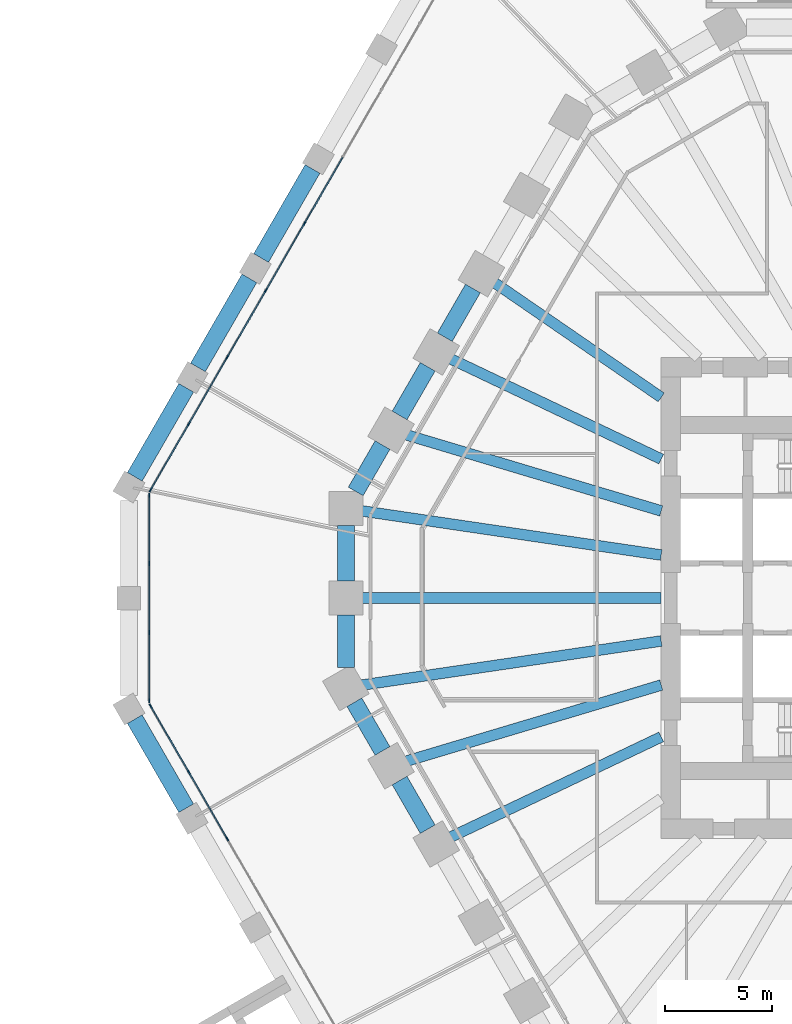
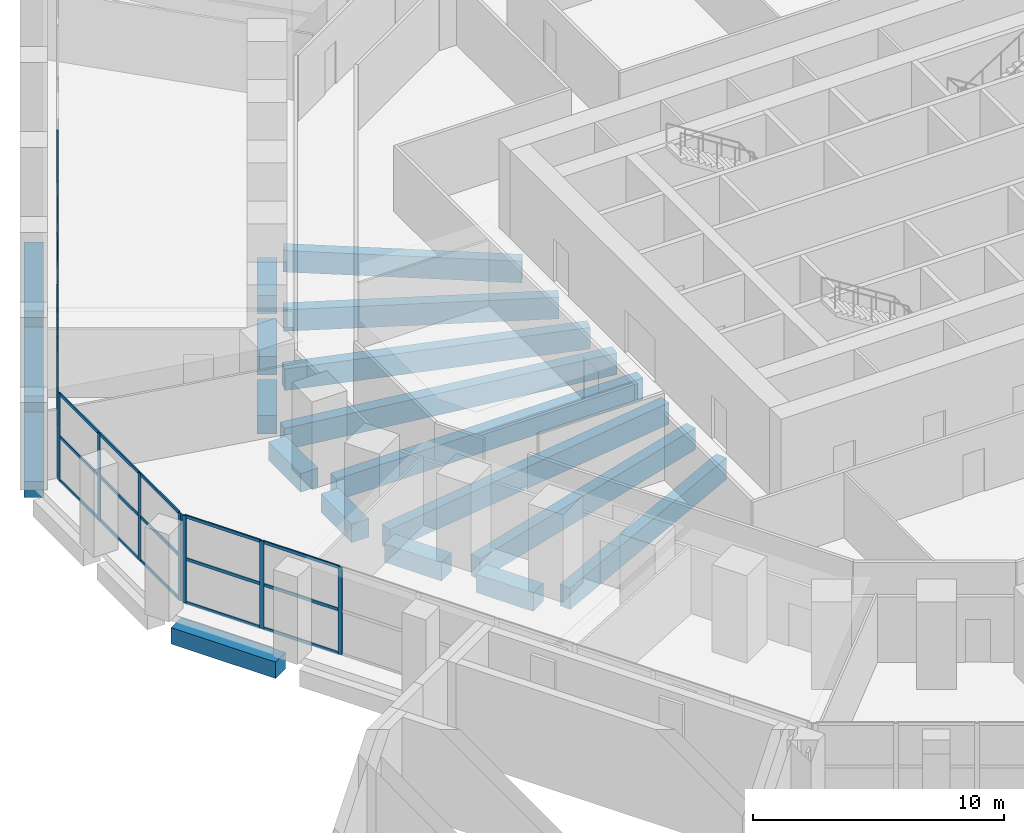
# One storey, part 5 of 38: 42 members, 19 beams, 3 elements without a shape of their own.
"""IFC4 building model written with IfcOpenShell, lengths in metres."""

from ifc_helpers import new_model, si_unit, direction, frame, origin, origin_2d, place, context, subcontext, project, spatial, rectangle, extrude, material, material_profile, profile_set, type_object, element, aggregate, save


model = new_model("IFC4")

# Units and contexts
model_context = context("Model", 3, precision=1e-05, world=origin(), true_north=direction((0.0, 1.0)))
body_context = subcontext(model_context, "Body", "Model", "MODEL_VIEW")
ifc_project = project(units=[si_unit("LENGTHUNIT", "METRE"), si_unit("AREAUNIT", "SQUARE_METRE"), si_unit("VOLUMEUNIT", "CUBIC_METRE"), si_unit("PLANEANGLEUNIT", "RADIAN"), si_unit("MASSUNIT", "GRAM", prefix="KILO")], contexts=[model_context])

# Site, building, storey
site_placement = place(None, origin())
site = spatial("IfcSite", under=ifc_project, at=site_placement, CompositionType="ELEMENT")
building_placement = place(site_placement, origin())
building = spatial("IfcBuilding", under=site, at=building_placement, Name="Frailejon Research Tower", CompositionType="ELEMENT")
storey_placement = place(building_placement, frame((0.0, 0.0, 5.60009765625)))
storey = spatial("IfcBuildingStorey", under=building, at=storey_placement, Name="L01", CompositionType="ELEMENT", Elevation=5.60009765625)

# Beams
ifc_material_1 = material(Name="Concrete C60/75", Category="concrete")
ifc_material_profile_1 = material_profile(ifc_material_1, rectangle(XDim=0.800048828125, YDim=0.800048828125, at=origin_2d()), Name="Base ring beam")
ifc_profile_set_1 = profile_set([ifc_material_profile_1], Name="Concrete C60/75")
beam_type_1 = type_object("IfcBeamType", Name="Base ring beam", PredefinedType="BEAM", material=ifc_profile_set_1)
for number, where, z_axis, x_axis, name in (
    (1, (-29.973388671875, 20.08447265625, -0.75), (-0.50000634465, -0.866021740668, 0.0), (0.866021740668, -0.50000634465, 0.0), "Base ring beam"),
    (2, (-32.930419921875, 14.962890625, -0.75), (-0.50000634465, -0.866021740668, 0.0), (0.866021740668, -0.50000634465, 0.0), "Base ring beam"),
):
    element("IfcBeam", number, at=place(storey_placement, frame(where, z_axis=z_axis, x_axis=x_axis)), inside=storey, type_object=beam_type_1, Name=name, PredefinedType="BEAM", context=body_context, shape_type="SweptSolid", body=[
        extrude(rectangle(XDim=0.800048828125, YDim=0.800048828125, at=origin_2d()), origin(), (0.0, 0.0, 1.0), 4.81396484375),
    ])
for number, where, z_axis, x_axis, name in (
    (3, (-35.88720703125, 9.84130859375, -0.75), (-0.500028306193, -0.866009060579, 0.0), (0.866009060579, -0.500028306193, 0.0), "Base ring beam"),
    (4, (-38.294189453125, -5.672607421875, -0.75), (0.500028306193, -0.866009060579, 0.0), (0.866009060579, 0.500028306193, 0.0), "Base ring beam"),
):
    element("IfcBeam", number, at=place(storey_placement, frame(where, z_axis=z_axis, x_axis=x_axis)), inside=storey, type_object=beam_type_1, Name=name, PredefinedType="BEAM", context=body_context, shape_type="SweptSolid", body=[
        extrude(rectangle(XDim=0.800048828125, YDim=0.800048828125, at=origin_2d()), origin(), (0.0, 0.0, 1.0), 4.813720703125),
    ])
ifc_material_2 = material(Name="Concrete C60/75", Category="concrete")
ifc_material_profile_2 = material_profile(ifc_material_2, rectangle(XDim=0.5, YDim=1.050048828125, at=origin_2d()), Name="Girder 500x1050")
ifc_profile_set_2 = profile_set([ifc_material_profile_2], Name="Concrete C60/75")
beam_type_2 = type_object("IfcBeamType", Name="Girder 500x1050", PredefinedType="BEAM", material=ifc_profile_set_2)
beam_1_placement = place(storey_placement, frame((-21.52734375, 14.8125, -0.875), z_axis=(0.823825821578, -0.566843025626, 0.0), x_axis=(0.566843025626, 0.823825821578, 0.0)))
element("IfcBeam", 5, at=beam_1_placement, inside=storey, type_object=beam_type_2, Name="Girder 500x1050", PredefinedType="BEAM", context=body_context, shape_type="SweptSolid", body=[
    extrude(rectangle(XDim=0.5, YDim=1.050048828125, at=origin_2d()), origin(), (0.0, 0.0, 1.0), 9.56201171875),
])
beam_2_placement = place(storey_placement, frame((-23.591796875, 11.23681640625, -0.875), z_axis=(0.902829780982, -0.429998123917, 0.0), x_axis=(0.429998123917, 0.902829780982, 0.0)))
element("IfcBeam", 6, at=beam_2_placement, inside=storey, type_object=beam_type_2, Name="Girder 500x1050", PredefinedType="BEAM", context=body_context, shape_type="SweptSolid", body=[
    extrude(rectangle(XDim=0.5, YDim=1.050048828125, at=origin_2d()), origin(), (0.0, 0.0, 1.0), 11.011962890625),
])
beam_3_placement = place(storey_placement, frame((-25.652587890625, 7.66015625, -0.875), z_axis=(0.958189747387, -0.286133549242, 0.0), x_axis=(0.286133549242, 0.958189747387, 0.0)))
element("IfcBeam", 7, at=beam_3_placement, inside=storey, type_object=beam_type_2, Name="Girder 500x1050", PredefinedType="BEAM", context=body_context, shape_type="SweptSolid", body=[
    extrude(rectangle(XDim=0.5, YDim=1.050048828125, at=origin_2d()), origin(), (0.0, 0.0, 1.0), 12.5263671875),
])
beam_4_placement = place(storey_placement, frame((-27.76123046875, 4.091552734375, -0.875), z_axis=(0.989312272049, -0.145812305287, 0.0), x_axis=(0.145812305287, 0.989312272049, 0.0)))
element("IfcBeam", 8, at=beam_4_placement, inside=storey, type_object=beam_type_2, Name="Girder 500x1050", PredefinedType="BEAM", context=body_context, shape_type="SweptSolid", body=[
    extrude(rectangle(XDim=0.5, YDim=1.050048828125, at=origin_2d()), origin(), (0.0, 0.0, 1.0), 14.263671875),
])
beam_5_placement = place(storey_placement, frame((-27.7626953125, 0.0, -0.875), z_axis=(1.0, 0.0, 0.0), x_axis=(0.0, 1.0, 0.0)))
element("IfcBeam", 9, at=beam_5_placement, inside=storey, type_object=beam_type_2, Name="Girder 500x1050", PredefinedType="BEAM", context=body_context, shape_type="SweptSolid", body=[
    extrude(rectangle(XDim=0.5, YDim=1.050048828125, at=origin_2d()), origin(), (0.0, 0.0, 1.0), 14.11279296875),
])
beam_6_placement = place(storey_placement, frame((-27.7099609375, -4.083984375, -0.875), z_axis=(0.989312392522, 0.145811487893, 0.0), x_axis=(-0.145811487893, 0.989312392522, 0.0)))
element("IfcBeam", 10, at=beam_6_placement, inside=storey, type_object=beam_type_2, Name="Girder 500x1050", PredefinedType="BEAM", context=body_context, shape_type="SweptSolid", body=[
    extrude(rectangle(XDim=0.5, YDim=1.050048828125, at=origin_2d()), origin(), (0.0, 0.0, 1.0), 14.2119140625),
])
beam_7_placement = place(storey_placement, frame((-25.652587890625, -7.66015625, -0.875), z_axis=(0.958189747387, 0.286133549242, 0.0), x_axis=(-0.286133549242, 0.958189747387, 0.0)))
element("IfcBeam", 11, at=beam_7_placement, inside=storey, type_object=beam_type_2, Name="Girder 500x1050", PredefinedType="BEAM", context=body_context, shape_type="SweptSolid", body=[
    extrude(rectangle(XDim=0.5, YDim=1.050048828125, at=origin_2d()), origin(), (0.0, 0.0, 1.0), 12.5263671875),
])
beam_8_placement = place(storey_placement, frame((-23.591796875, -11.23681640625, -0.875), z_axis=(0.902829780982, 0.429998123917, 0.0), x_axis=(-0.429998123917, 0.902829780982, 0.0)))
element("IfcBeam", 12, at=beam_8_placement, inside=storey, type_object=beam_type_2, Name="Girder 500x1050", PredefinedType="BEAM", context=body_context, shape_type="SweptSolid", body=[
    extrude(rectangle(XDim=0.5, YDim=1.050048828125, at=origin_2d()), origin(), (0.0, 0.0, 1.0), 11.011962890625),
])
ifc_material_3 = material(Name="Concrete C60/75", Category="concrete")
ifc_material_profile_3 = material_profile(ifc_material_3, rectangle(XDim=0.800048828125, YDim=0.89990234375, at=origin_2d()), Name="Podium ring beam")
ifc_profile_set_3 = profile_set([ifc_material_profile_3], Name="Concrete C60/75")
beam_type_3 = type_object("IfcBeamType", Name="Podium ring beam", PredefinedType="BEAM", material=ifc_profile_set_3)
beam_9_placement = place(storey_placement, frame((-22.46484375, 14.48974609375, -0.800048828125), z_axis=(-0.500019514865, -0.866014136579, 0.0), x_axis=(0.866014136579, -0.500019514865, 0.0)))
element("IfcBeam", 13, at=beam_9_placement, inside=storey, type_object=beam_type_3, Name="Podium ring beam", PredefinedType="BEAM", context=body_context, shape_type="SweptSolid", body=[
    extrude(rectangle(XDim=0.800048828125, YDim=0.89990234375, at=origin_2d()), origin(), (0.0, 0.0, 1.0), 2.63232421875),
])
beam_10_placement = place(storey_placement, frame((-24.580810546875, 10.82470703125, -0.800048828125), z_axis=(-0.499990112884, -0.866031112038, 0.0), x_axis=(0.866031112038, -0.499990112884, 0.0)))
element("IfcBeam", 14, at=beam_10_placement, inside=storey, type_object=beam_type_3, Name="Podium ring beam", PredefinedType="BEAM", context=body_context, shape_type="SweptSolid", body=[
    extrude(rectangle(XDim=0.800048828125, YDim=0.89990234375, at=origin_2d()), origin(), (0.0, 0.0, 1.0), 2.6318359375),
])
beam_11_placement = place(storey_placement, frame((-26.69677734375, 7.15966796875, -0.800048828125), z_axis=(-0.500022970635, -0.866012141276, 0.0), x_axis=(0.866012141276, -0.500022970635, 0.0)))
element("IfcBeam", 15, at=beam_11_placement, inside=storey, type_object=beam_type_3, Name="Podium ring beam", PredefinedType="BEAM", context=body_context, shape_type="SweptSolid", body=[
    extrude(rectangle(XDim=0.800048828125, YDim=0.89990234375, at=origin_2d()), origin(), (0.0, 0.0, 1.0), 2.50830078125),
])
beam_12_placement = place(storey_placement, frame((-28.412841796875, 3.3876953125, -0.800048828125), z_axis=(0.0, -1.0, 0.0), x_axis=(1.0, 0.0, 0.0)))
element("IfcBeam", 16, at=beam_12_placement, inside=storey, type_object=beam_type_3, Name="Podium ring beam", PredefinedType="BEAM", context=body_context, shape_type="SweptSolid", body=[
    extrude(rectangle(XDim=0.800048828125, YDim=0.89990234375, at=origin_2d()), origin(), (0.0, 0.0, 1.0), 2.587646484375),
])
beam_13_placement = place(storey_placement, frame((-28.412841796875, -0.800048828125, -0.800048828125), z_axis=(0.0, -1.0, 0.0), x_axis=(1.0, 0.0, 0.0)))
element("IfcBeam", 17, at=beam_13_placement, inside=storey, type_object=beam_type_3, Name="Podium ring beam", PredefinedType="BEAM", context=body_context, shape_type="SweptSolid", body=[
    extrude(rectangle(XDim=0.800048828125, YDim=0.89990234375, at=origin_2d()), origin(), (0.0, 0.0, 1.0), 2.4638671875),
])
for number, where, z_axis, x_axis, name in (
    (18, (-28.0126953125, -4.88037109375, -0.800048828125), (0.499990112884, -0.866031112038, 0.0), (0.866031112038, 0.499990112884, 0.0), "Podium ring beam"),
    (19, (-25.896728515625, -8.54541015625, -0.800048828125), (0.499990112884, -0.866031112038, 0.0), (0.866031112038, 0.499990112884, 0.0), "Podium ring beam"),
):
    element("IfcBeam", number, at=place(storey_placement, frame(where, z_axis=z_axis, x_axis=x_axis)), inside=storey, type_object=beam_type_3, Name=name, PredefinedType="BEAM", context=body_context, shape_type="SweptSolid", body=[
        extrude(rectangle(XDim=0.800048828125, YDim=0.89990234375, at=origin_2d()), origin(), (0.0, 0.0, 1.0), 2.6318359375),
    ])

# Curtain wall, members
ifc_material_4 = material(Name="Aluminium curtain wall", Category="aluminium")
curtain_wall_type = type_object("IfcCurtainWallType", Name="Podium stick curtain wall system", PredefinedType="NOTDEFINED", material=ifc_material_4)
curtain_wall_1_placement = place(storey_placement, origin())
curtain_wall_1 = element("IfcCurtainWall", 20, at=curtain_wall_1_placement, inside=storey, type_object=curtain_wall_type, Name="Curtain wall L01", PredefinedType="NOTDEFINED")
ifc_material_5 = material(Name="Aluminium extrusion", Category="aluminium")
ifc_material_profile_4 = material_profile(ifc_material_5, rectangle(XDim=0.06005859375, YDim=0.199951171875, at=origin_2d()), Name="Podium stick curtain wall mullion 60x200")
ifc_profile_set_4 = profile_set([ifc_material_profile_4], Name="Aluminium extrusion")
member_type_1 = type_object("IfcMemberType", Name="Podium stick curtain wall mullion 60x200", PredefinedType="MULLION", material=ifc_profile_set_4)
member_1_placement = place(storey_placement, frame((-30.354248046875, 17.52490234375, 0.0), z_axis=(0.0, 0.0, 1.0), x_axis=(0.86602632934, -0.499998396888, 0.0)))
member_1 = element("IfcMember", 21, at=member_1_placement, type_object=member_type_1, Name="CW2-026 mullion 5", PredefinedType="MULLION", context=body_context, shape_type="SweptSolid", body=[
    extrude(rectangle(XDim=0.06005859375, YDim=0.199951171875, at=origin_2d()), origin(), (0.0, 0.0, 1.0), 4.25),
])
member_2_placement = place(storey_placement, frame((-32.157958984375, 14.40087890625, 0.0), z_axis=(0.0, 0.0, 1.0), x_axis=(0.86602632934, -0.499998396888, 0.0)))
member_2 = element("IfcMember", 22, at=member_2_placement, type_object=member_type_1, Name="CW2-026 mullion 6", PredefinedType="MULLION", context=body_context, shape_type="SweptSolid", body=[
    extrude(rectangle(XDim=0.06005859375, YDim=0.199951171875, at=origin_2d()), origin(), (0.0, 0.0, 1.0), 4.25),
])
member_3_placement = place(storey_placement, frame((-33.961669921875, 11.276611328125, 0.0), z_axis=(0.0, 0.0, 1.0), x_axis=(0.86602632934, -0.499998396888, 0.0)))
member_3 = element("IfcMember", 23, at=member_3_placement, type_object=member_type_1, Name="CW2-026 mullion 7", PredefinedType="MULLION", context=body_context, shape_type="SweptSolid", body=[
    extrude(rectangle(XDim=0.06005859375, YDim=0.199951171875, at=origin_2d()), origin(), (0.0, 0.0, 1.0), 4.25),
])
member_4_placement = place(storey_placement, frame((-35.765380859375, 8.15234375, 0.0), z_axis=(0.0, 0.0, 1.0), x_axis=(0.86602632934, -0.499998396888, 0.0)))
member_4 = element("IfcMember", 24, at=member_4_placement, type_object=member_type_1, Name="CW2-026 mullion 8", PredefinedType="MULLION", context=body_context, shape_type="SweptSolid", body=[
    extrude(rectangle(XDim=0.06005859375, YDim=0.199951171875, at=origin_2d()), origin(), (0.0, 0.0, 1.0), 4.25),
])
member_5_placement = place(storey_placement, frame((-37.55419921875, 5.05419921875, 0.0), z_axis=(0.0, 0.0, 1.0), x_axis=(0.86602632934, -0.499998396888, 0.0)))
member_5 = element("IfcMember", 25, at=member_5_placement, type_object=member_type_1, Name="CW2-026 mullion 9", PredefinedType="MULLION", context=body_context, shape_type="SweptSolid", body=[
    extrude(rectangle(XDim=0.06005859375, YDim=0.199951171875, at=origin_2d()), origin(), (0.0, 0.0, 1.0), 4.25),
])

curtain_wall_2_placement = place(storey_placement, origin())
curtain_wall_2 = element("IfcCurtainWall", 26, at=curtain_wall_2_placement, inside=storey, type_object=curtain_wall_type, Name="Curtain wall L01", PredefinedType="NOTDEFINED")
member_6_placement = place(storey_placement, frame((-37.619140625, 4.8115234375, 0.0), z_axis=(0.0, 0.0, 1.0), x_axis=(1.0, 0.0, 0.0)))
member_6 = element("IfcMember", 27, at=member_6_placement, type_object=member_type_1, Name="CW2-027 mullion 1", PredefinedType="MULLION", context=body_context, shape_type="SweptSolid", body=[
    extrude(rectangle(XDim=0.06005859375, YDim=0.199951171875, at=origin_2d()), origin(), (0.0, 0.0, 1.0), 4.25),
])
member_7_placement = place(storey_placement, frame((-37.619140625, 1.61376953125, 0.0), z_axis=(0.0, 0.0, 1.0), x_axis=(1.0, 0.0, 0.0)))
member_7 = element("IfcMember", 28, at=member_7_placement, type_object=member_type_1, Name="CW2-027 mullion 2", PredefinedType="MULLION", context=body_context, shape_type="SweptSolid", body=[
    extrude(rectangle(XDim=0.06005859375, YDim=0.199951171875, at=origin_2d()), origin(), (0.0, 0.0, 1.0), 4.25),
])
member_8_placement = place(storey_placement, frame((-37.619140625, -1.61376953125, 0.0), z_axis=(0.0, 0.0, 1.0), x_axis=(1.0, 0.0, 0.0)))
member_8 = element("IfcMember", 29, at=member_8_placement, type_object=member_type_1, Name="CW2-027 mullion 3", PredefinedType="MULLION", context=body_context, shape_type="SweptSolid", body=[
    extrude(rectangle(XDim=0.06005859375, YDim=0.199951171875, at=origin_2d()), origin(), (0.0, 0.0, 1.0), 4.25),
])
member_9_placement = place(storey_placement, frame((-37.619140625, -4.8115234375, 0.0), z_axis=(0.0, 0.0, 1.0), x_axis=(1.0, 0.0, 0.0)))
member_9 = element("IfcMember", 30, at=member_9_placement, type_object=member_type_1, Name="CW2-027 mullion 4", PredefinedType="MULLION", context=body_context, shape_type="SweptSolid", body=[
    extrude(rectangle(XDim=0.06005859375, YDim=0.199951171875, at=origin_2d()), origin(), (0.0, 0.0, 1.0), 4.25),
])

curtain_wall_3_placement = place(storey_placement, origin())
curtain_wall_3 = element("IfcCurtainWall", 31, at=curtain_wall_3_placement, inside=storey, type_object=curtain_wall_type, Name="Curtain wall L01", PredefinedType="NOTDEFINED")
member_10_placement = place(storey_placement, frame((-37.55419921875, -5.05419921875, 0.0), z_axis=(0.0, 0.0, 1.0), x_axis=(0.86602632934, 0.499998396888, 0.0)))
member_10 = element("IfcMember", 32, at=member_10_placement, type_object=member_type_1, Name="CW2-028 mullion 1", PredefinedType="MULLION", context=body_context, shape_type="SweptSolid", body=[
    extrude(rectangle(XDim=0.06005859375, YDim=0.199951171875, at=origin_2d()), origin(), (0.0, 0.0, 1.0), 4.25),
])
member_11_placement = place(storey_placement, frame((-35.765380859375, -8.15234375, 0.0), z_axis=(0.0, 0.0, 1.0), x_axis=(0.86602632934, 0.499998396888, 0.0)))
member_11 = element("IfcMember", 33, at=member_11_placement, type_object=member_type_1, Name="CW2-028 mullion 2", PredefinedType="MULLION", context=body_context, shape_type="SweptSolid", body=[
    extrude(rectangle(XDim=0.06005859375, YDim=0.199951171875, at=origin_2d()), origin(), (0.0, 0.0, 1.0), 4.25),
])
member_12_placement = place(storey_placement, frame((-33.961669921875, -11.276611328125, 0.0), z_axis=(0.0, 0.0, 1.0), x_axis=(0.86602632934, 0.499998396888, 0.0)))
member_12 = element("IfcMember", 34, at=member_12_placement, type_object=member_type_1, Name="CW2-028 mullion 3", PredefinedType="MULLION", context=body_context, shape_type="SweptSolid", body=[
    extrude(rectangle(XDim=0.06005859375, YDim=0.199951171875, at=origin_2d()), origin(), (0.0, 0.0, 1.0), 4.25),
])

# Member
ifc_material_6 = material(Name="Aluminium extrusion", Category="aluminium")
ifc_material_profile_5 = material_profile(ifc_material_6, rectangle(XDim=0.06005859375, YDim=0.14990234375, at=origin_2d()), Name="Podium stick curtain wall transom 60x150")
ifc_profile_set_5 = profile_set([ifc_material_profile_5], Name="Aluminium extrusion")
member_type_2 = type_object("IfcMemberType", Name="Podium stick curtain wall transom 60x150", PredefinedType="USERDEFINED", material=ifc_profile_set_5)
member_13_placement = place(storey_placement, frame((-28.5654296875, 20.623291015625, 0.02978515625), z_axis=(-0.499980603476, -0.866036602083, 0.0), x_axis=(0.866036602083, -0.499980603476, 0.0)))
member_13 = element("IfcMember", 35, at=member_13_placement, type_object=member_type_2, Name="CW2-026 transom 4.1", ObjectType="TRANSOM", PredefinedType="USERDEFINED", context=body_context, shape_type="SweptSolid", body=[
    extrude(rectangle(XDim=0.06005859375, YDim=0.14990234375, at=origin_2d()), origin(), (0.0, 0.0, 1.0), 3.547607421875),
])

member_14_placement = place(storey_placement, frame((-28.5654296875, 20.623291015625, 2.14990234375), z_axis=(-0.499980603476, -0.866036602083, 0.0), x_axis=(0.866036602083, -0.499980603476, 0.0)))
member_14 = element("IfcMember", 36, at=member_14_placement, type_object=member_type_2, Name="CW2-026 transom 4.2", ObjectType="TRANSOM", PredefinedType="USERDEFINED", context=body_context, shape_type="SweptSolid", body=[
    extrude(rectangle(XDim=0.06005859375, YDim=0.14990234375, at=origin_2d()), origin(), (0.0, 0.0, 1.0), 3.547607421875),
])

member_15_placement = place(storey_placement, frame((-28.5654296875, 20.623291015625, 4.219970703125), z_axis=(-0.499980603476, -0.866036602083, 0.0), x_axis=(0.866036602083, -0.499980603476, 0.0)))
member_15 = element("IfcMember", 37, at=member_15_placement, type_object=member_type_2, Name="CW2-026 transom 4.3", ObjectType="TRANSOM", PredefinedType="USERDEFINED", context=body_context, shape_type="SweptSolid", body=[
    extrude(rectangle(XDim=0.06005859375, YDim=0.14990234375, at=origin_2d()), origin(), (0.0, 0.0, 1.0), 3.547607421875),
])

member_16_placement = place(storey_placement, frame((-30.369140625, 17.4990234375, 0.02978515625), z_axis=(-0.500032217487, -0.86600680221, 0.0), x_axis=(0.86600680221, -0.500032217487, 0.0)))
member_16 = element("IfcMember", 38, at=member_16_placement, type_object=member_type_2, Name="CW2-026 transom 5.1", ObjectType="TRANSOM", PredefinedType="USERDEFINED", context=body_context, shape_type="SweptSolid", body=[
    extrude(rectangle(XDim=0.06005859375, YDim=0.14990234375, at=origin_2d()), origin(), (0.0, 0.0, 1.0), 3.547607421875),
])

member_17_placement = place(storey_placement, frame((-30.369140625, 17.4990234375, 2.14990234375), z_axis=(-0.500032217487, -0.86600680221, 0.0), x_axis=(0.86600680221, -0.500032217487, 0.0)))
member_17 = element("IfcMember", 39, at=member_17_placement, type_object=member_type_2, Name="CW2-026 transom 5.2", ObjectType="TRANSOM", PredefinedType="USERDEFINED", context=body_context, shape_type="SweptSolid", body=[
    extrude(rectangle(XDim=0.06005859375, YDim=0.14990234375, at=origin_2d()), origin(), (0.0, 0.0, 1.0), 3.547607421875),
])

member_18_placement = place(storey_placement, frame((-30.369140625, 17.4990234375, 4.219970703125), z_axis=(-0.500032217487, -0.86600680221, 0.0), x_axis=(0.86600680221, -0.500032217487, 0.0)))
member_18 = element("IfcMember", 40, at=member_18_placement, type_object=member_type_2, Name="CW2-026 transom 5.3", ObjectType="TRANSOM", PredefinedType="USERDEFINED", context=body_context, shape_type="SweptSolid", body=[
    extrude(rectangle(XDim=0.06005859375, YDim=0.14990234375, at=origin_2d()), origin(), (0.0, 0.0, 1.0), 3.547607421875),
])

member_19_placement = place(storey_placement, frame((-32.1728515625, 14.374755859375, 0.02978515625), z_axis=(-0.500032217487, -0.86600680221, 0.0), x_axis=(0.86600680221, -0.500032217487, 0.0)))
member_19 = element("IfcMember", 41, at=member_19_placement, type_object=member_type_2, Name="CW2-026 transom 6.1", ObjectType="TRANSOM", PredefinedType="USERDEFINED", context=body_context, shape_type="SweptSolid", body=[
    extrude(rectangle(XDim=0.06005859375, YDim=0.14990234375, at=origin_2d()), origin(), (0.0, 0.0, 1.0), 3.547607421875),
])

member_20_placement = place(storey_placement, frame((-32.1728515625, 14.374755859375, 2.14990234375), z_axis=(-0.500032217487, -0.86600680221, 0.0), x_axis=(0.86600680221, -0.500032217487, 0.0)))
member_20 = element("IfcMember", 42, at=member_20_placement, type_object=member_type_2, Name="CW2-026 transom 6.2", ObjectType="TRANSOM", PredefinedType="USERDEFINED", context=body_context, shape_type="SweptSolid", body=[
    extrude(rectangle(XDim=0.06005859375, YDim=0.14990234375, at=origin_2d()), origin(), (0.0, 0.0, 1.0), 3.547607421875),
])

member_21_placement = place(storey_placement, frame((-32.1728515625, 14.374755859375, 4.219970703125), z_axis=(-0.500032217487, -0.86600680221, 0.0), x_axis=(0.86600680221, -0.500032217487, 0.0)))
member_21 = element("IfcMember", 43, at=member_21_placement, type_object=member_type_2, Name="CW2-026 transom 6.3", ObjectType="TRANSOM", PredefinedType="USERDEFINED", context=body_context, shape_type="SweptSolid", body=[
    extrude(rectangle(XDim=0.06005859375, YDim=0.14990234375, at=origin_2d()), origin(), (0.0, 0.0, 1.0), 3.547607421875),
])

member_22_placement = place(storey_placement, frame((-33.976806640625, 11.250732421875, 0.02978515625), z_axis=(-0.499980603476, -0.866036602083, 0.0), x_axis=(0.866036602083, -0.499980603476, 0.0)))
member_22 = element("IfcMember", 44, at=member_22_placement, type_object=member_type_2, Name="CW2-026 transom 7.1", ObjectType="TRANSOM", PredefinedType="USERDEFINED", context=body_context, shape_type="SweptSolid", body=[
    extrude(rectangle(XDim=0.06005859375, YDim=0.14990234375, at=origin_2d()), origin(), (0.0, 0.0, 1.0), 3.547607421875),
])

member_23_placement = place(storey_placement, frame((-33.976806640625, 11.250732421875, 2.14990234375), z_axis=(-0.499980603476, -0.866036602083, 0.0), x_axis=(0.866036602083, -0.499980603476, 0.0)))
member_23 = element("IfcMember", 45, at=member_23_placement, type_object=member_type_2, Name="CW2-026 transom 7.2", ObjectType="TRANSOM", PredefinedType="USERDEFINED", context=body_context, shape_type="SweptSolid", body=[
    extrude(rectangle(XDim=0.06005859375, YDim=0.14990234375, at=origin_2d()), origin(), (0.0, 0.0, 1.0), 3.547607421875),
])

member_24_placement = place(storey_placement, frame((-33.976806640625, 11.250732421875, 4.219970703125), z_axis=(-0.499980603476, -0.866036602083, 0.0), x_axis=(0.866036602083, -0.499980603476, 0.0)))
member_24 = element("IfcMember", 46, at=member_24_placement, type_object=member_type_2, Name="CW2-026 transom 7.3", ObjectType="TRANSOM", PredefinedType="USERDEFINED", context=body_context, shape_type="SweptSolid", body=[
    extrude(rectangle(XDim=0.06005859375, YDim=0.14990234375, at=origin_2d()), origin(), (0.0, 0.0, 1.0), 3.547607421875),
])

member_25_placement = place(storey_placement, frame((-35.780517578125, 8.12646484375, 0.02978515625), z_axis=(-0.499990804263, -0.866030712881, 0.0), x_axis=(0.866030712881, -0.499990804263, 0.0)))
member_25 = element("IfcMember", 47, at=member_25_placement, type_object=member_type_2, Name="CW2-026 transom 8.1", ObjectType="TRANSOM", PredefinedType="USERDEFINED", context=body_context, shape_type="SweptSolid", body=[
    extrude(rectangle(XDim=0.06005859375, YDim=0.14990234375, at=origin_2d()), origin(), (0.0, 0.0, 1.0), 3.517578125),
])

member_26_placement = place(storey_placement, frame((-35.780517578125, 8.12646484375, 2.14990234375), z_axis=(-0.499990804263, -0.866030712881, 0.0), x_axis=(0.866030712881, -0.499990804263, 0.0)))
member_26 = element("IfcMember", 48, at=member_26_placement, type_object=member_type_2, Name="CW2-026 transom 8.2", ObjectType="TRANSOM", PredefinedType="USERDEFINED", context=body_context, shape_type="SweptSolid", body=[
    extrude(rectangle(XDim=0.06005859375, YDim=0.14990234375, at=origin_2d()), origin(), (0.0, 0.0, 1.0), 3.517578125),
])

member_27_placement = place(storey_placement, frame((-35.780517578125, 8.12646484375, 4.219970703125), z_axis=(-0.499990804263, -0.866030712881, 0.0), x_axis=(0.866030712881, -0.499990804263, 0.0)))
member_27 = element("IfcMember", 49, at=member_27_placement, type_object=member_type_2, Name="CW2-026 transom 8.3", ObjectType="TRANSOM", PredefinedType="USERDEFINED", context=body_context, shape_type="SweptSolid", body=[
    extrude(rectangle(XDim=0.06005859375, YDim=0.14990234375, at=origin_2d()), origin(), (0.0, 0.0, 1.0), 3.517578125),
])

aggregate(curtain_wall_1, [member_1, member_2, member_3, member_4, member_5, member_13, member_14, member_15, member_16, member_17, member_18, member_19, member_20, member_21, member_22, member_23, member_24, member_25, member_26, member_27])

member_28_placement = place(storey_placement, frame((-37.619140625, 4.781494140625, 0.02978515625), z_axis=(0.0, -1.0, 0.0), x_axis=(1.0, 0.0, 0.0)))
member_28 = element("IfcMember", 50, at=member_28_placement, type_object=member_type_2, Name="CW2-027 transom 1.1", ObjectType="TRANSOM", PredefinedType="USERDEFINED", context=body_context, shape_type="SweptSolid", body=[
    extrude(rectangle(XDim=0.06005859375, YDim=0.14990234375, at=origin_2d()), origin(), (0.0, 0.0, 1.0), 3.1376953125),
])

member_29_placement = place(storey_placement, frame((-37.619140625, 4.781494140625, 2.14990234375), z_axis=(0.0, -1.0, 0.0), x_axis=(1.0, 0.0, 0.0)))
member_29 = element("IfcMember", 51, at=member_29_placement, type_object=member_type_2, Name="CW2-027 transom 1.2", ObjectType="TRANSOM", PredefinedType="USERDEFINED", context=body_context, shape_type="SweptSolid", body=[
    extrude(rectangle(XDim=0.06005859375, YDim=0.14990234375, at=origin_2d()), origin(), (0.0, 0.0, 1.0), 3.1376953125),
])

member_30_placement = place(storey_placement, frame((-37.619140625, 4.781494140625, 4.219970703125), z_axis=(0.0, -1.0, 0.0), x_axis=(1.0, 0.0, 0.0)))
member_30 = element("IfcMember", 52, at=member_30_placement, type_object=member_type_2, Name="CW2-027 transom 1.3", ObjectType="TRANSOM", PredefinedType="USERDEFINED", context=body_context, shape_type="SweptSolid", body=[
    extrude(rectangle(XDim=0.06005859375, YDim=0.14990234375, at=origin_2d()), origin(), (0.0, 0.0, 1.0), 3.1376953125),
])

member_31_placement = place(storey_placement, frame((-37.619140625, 1.583984375, 0.02978515625), z_axis=(0.0, -1.0, 0.0), x_axis=(1.0, 0.0, 0.0)))
member_31 = element("IfcMember", 53, at=member_31_placement, type_object=member_type_2, Name="CW2-027 transom 2.1", ObjectType="TRANSOM", PredefinedType="USERDEFINED", context=body_context, shape_type="SweptSolid", body=[
    extrude(rectangle(XDim=0.06005859375, YDim=0.14990234375, at=origin_2d()), origin(), (0.0, 0.0, 1.0), 3.16796875),
])

member_32_placement = place(storey_placement, frame((-37.619140625, 1.583984375, 2.14990234375), z_axis=(0.0, -1.0, 0.0), x_axis=(1.0, 0.0, 0.0)))
member_32 = element("IfcMember", 54, at=member_32_placement, type_object=member_type_2, Name="CW2-027 transom 2.2", ObjectType="TRANSOM", PredefinedType="USERDEFINED", context=body_context, shape_type="SweptSolid", body=[
    extrude(rectangle(XDim=0.06005859375, YDim=0.14990234375, at=origin_2d()), origin(), (0.0, 0.0, 1.0), 3.16796875),
])

member_33_placement = place(storey_placement, frame((-37.619140625, 1.583984375, 4.219970703125), z_axis=(0.0, -1.0, 0.0), x_axis=(1.0, 0.0, 0.0)))
member_33 = element("IfcMember", 55, at=member_33_placement, type_object=member_type_2, Name="CW2-027 transom 2.3", ObjectType="TRANSOM", PredefinedType="USERDEFINED", context=body_context, shape_type="SweptSolid", body=[
    extrude(rectangle(XDim=0.06005859375, YDim=0.14990234375, at=origin_2d()), origin(), (0.0, 0.0, 1.0), 3.16796875),
])

member_34_placement = place(storey_placement, frame((-37.619140625, -1.643798828125, 0.02978515625), z_axis=(0.0, -1.0, 0.0), x_axis=(1.0, 0.0, 0.0)))
member_34 = element("IfcMember", 56, at=member_34_placement, type_object=member_type_2, Name="CW2-027 transom 3.1", ObjectType="TRANSOM", PredefinedType="USERDEFINED", context=body_context, shape_type="SweptSolid", body=[
    extrude(rectangle(XDim=0.06005859375, YDim=0.14990234375, at=origin_2d()), origin(), (0.0, 0.0, 1.0), 3.1376953125),
])

member_35_placement = place(storey_placement, frame((-37.619140625, -1.643798828125, 2.14990234375), z_axis=(0.0, -1.0, 0.0), x_axis=(1.0, 0.0, 0.0)))
member_35 = element("IfcMember", 57, at=member_35_placement, type_object=member_type_2, Name="CW2-027 transom 3.2", ObjectType="TRANSOM", PredefinedType="USERDEFINED", context=body_context, shape_type="SweptSolid", body=[
    extrude(rectangle(XDim=0.06005859375, YDim=0.14990234375, at=origin_2d()), origin(), (0.0, 0.0, 1.0), 3.1376953125),
])

member_36_placement = place(storey_placement, frame((-37.619140625, -1.643798828125, 4.219970703125), z_axis=(0.0, -1.0, 0.0), x_axis=(1.0, 0.0, 0.0)))
member_36 = element("IfcMember", 58, at=member_36_placement, type_object=member_type_2, Name="CW2-027 transom 3.3", ObjectType="TRANSOM", PredefinedType="USERDEFINED", context=body_context, shape_type="SweptSolid", body=[
    extrude(rectangle(XDim=0.06005859375, YDim=0.14990234375, at=origin_2d()), origin(), (0.0, 0.0, 1.0), 3.1376953125),
])

aggregate(curtain_wall_2, [member_6, member_7, member_8, member_9, member_28, member_29, member_30, member_31, member_32, member_33, member_34, member_35, member_36])

member_37_placement = place(storey_placement, frame((-37.539306640625, -5.080078125, 0.02978515625), z_axis=(0.499990804263, -0.866030712881, 0.0), x_axis=(0.866030712881, 0.499990804263, 0.0)))
member_37 = element("IfcMember", 59, at=member_37_placement, type_object=member_type_2, Name="CW2-028 transom 1.1", ObjectType="TRANSOM", PredefinedType="USERDEFINED", context=body_context, shape_type="SweptSolid", body=[
    extrude(rectangle(XDim=0.06005859375, YDim=0.14990234375, at=origin_2d()), origin(), (0.0, 0.0, 1.0), 3.517578125),
])

member_38_placement = place(storey_placement, frame((-37.539306640625, -5.080078125, 2.14990234375), z_axis=(0.499990804263, -0.866030712881, 0.0), x_axis=(0.866030712881, 0.499990804263, 0.0)))
member_38 = element("IfcMember", 60, at=member_38_placement, type_object=member_type_2, Name="CW2-028 transom 1.2", ObjectType="TRANSOM", PredefinedType="USERDEFINED", context=body_context, shape_type="SweptSolid", body=[
    extrude(rectangle(XDim=0.06005859375, YDim=0.14990234375, at=origin_2d()), origin(), (0.0, 0.0, 1.0), 3.517578125),
])

member_39_placement = place(storey_placement, frame((-37.539306640625, -5.080078125, 4.219970703125), z_axis=(0.499990804263, -0.866030712881, 0.0), x_axis=(0.866030712881, 0.499990804263, 0.0)))
member_39 = element("IfcMember", 61, at=member_39_placement, type_object=member_type_2, Name="CW2-028 transom 1.3", ObjectType="TRANSOM", PredefinedType="USERDEFINED", context=body_context, shape_type="SweptSolid", body=[
    extrude(rectangle(XDim=0.06005859375, YDim=0.14990234375, at=origin_2d()), origin(), (0.0, 0.0, 1.0), 3.517578125),
])

member_40_placement = place(storey_placement, frame((-35.75048828125, -8.178466796875, 0.02978515625), z_axis=(0.499980603476, -0.866036602083, 0.0), x_axis=(0.866036602083, 0.499980603476, 0.0)))
member_40 = element("IfcMember", 62, at=member_40_placement, type_object=member_type_2, Name="CW2-028 transom 2.1", ObjectType="TRANSOM", PredefinedType="USERDEFINED", context=body_context, shape_type="SweptSolid", body=[
    extrude(rectangle(XDim=0.06005859375, YDim=0.14990234375, at=origin_2d()), origin(), (0.0, 0.0, 1.0), 3.547607421875),
])

member_41_placement = place(storey_placement, frame((-35.75048828125, -8.178466796875, 2.14990234375), z_axis=(0.499980603476, -0.866036602083, 0.0), x_axis=(0.866036602083, 0.499980603476, 0.0)))
member_41 = element("IfcMember", 63, at=member_41_placement, type_object=member_type_2, Name="CW2-028 transom 2.2", ObjectType="TRANSOM", PredefinedType="USERDEFINED", context=body_context, shape_type="SweptSolid", body=[
    extrude(rectangle(XDim=0.06005859375, YDim=0.14990234375, at=origin_2d()), origin(), (0.0, 0.0, 1.0), 3.547607421875),
])

member_42_placement = place(storey_placement, frame((-35.75048828125, -8.178466796875, 4.219970703125), z_axis=(0.499980603476, -0.866036602083, 0.0), x_axis=(0.866036602083, 0.499980603476, 0.0)))
member_42 = element("IfcMember", 64, at=member_42_placement, type_object=member_type_2, Name="CW2-028 transom 2.3", ObjectType="TRANSOM", PredefinedType="USERDEFINED", context=body_context, shape_type="SweptSolid", body=[
    extrude(rectangle(XDim=0.06005859375, YDim=0.14990234375, at=origin_2d()), origin(), (0.0, 0.0, 1.0), 3.547607421875),
])

aggregate(curtain_wall_3, [member_10, member_11, member_12, member_37, member_38, member_39, member_40, member_41, member_42])

save(model, "model.ifc")
